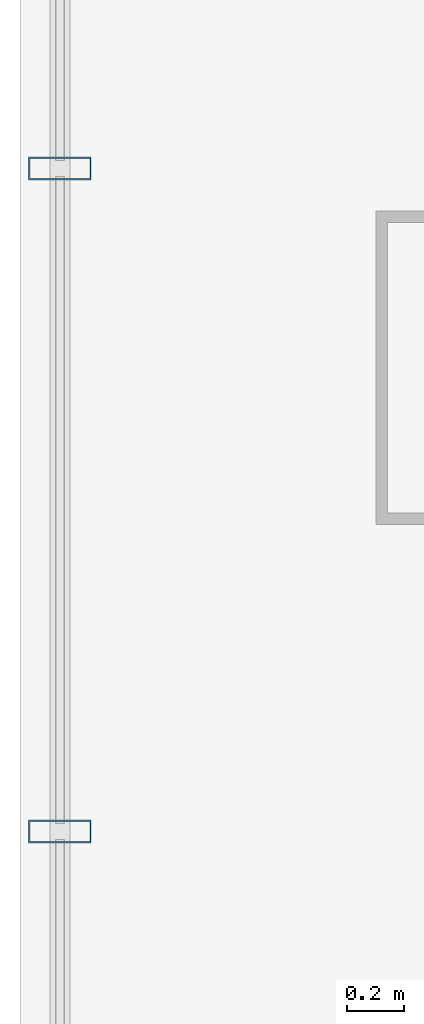
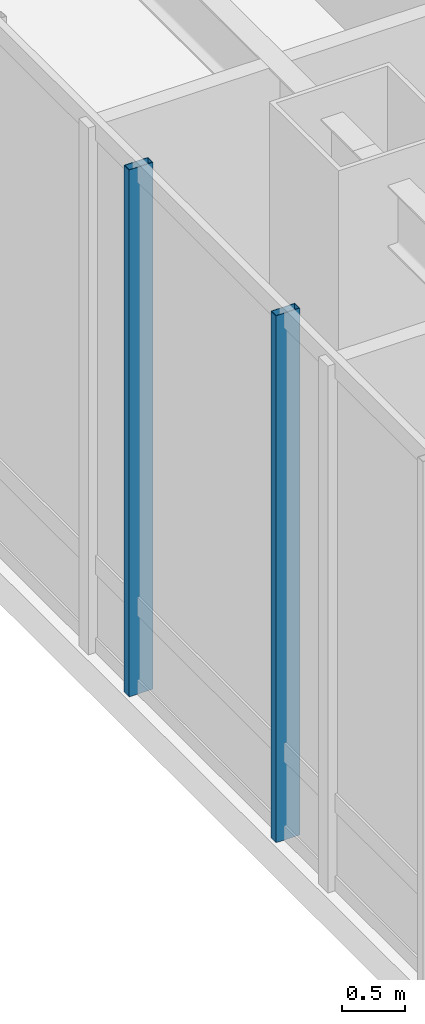
# One storey, part 10 of 35: 2 members, 1 element without a shape of its own.
"""IFC4 building model written with IfcOpenShell, lengths in metres."""

from ifc_helpers import new_model, si_unit, direction, frame, origin, origin_2d, place, context, subcontext, project, spatial, hollow_rectangle, extrude, material, layer, layer_set, material_profile, profile_set, type_object, element, aggregate, save


model = new_model("IFC4")

# Units and contexts
model_context = context("Model", 3, precision=1e-05, world=origin(), true_north=direction((0.0, 1.0)))
body_context = subcontext(model_context, "Body", "Model", "MODEL_VIEW")
ifc_project = project(units=[si_unit("LENGTHUNIT", "METRE"), si_unit("AREAUNIT", "SQUARE_METRE"), si_unit("VOLUMEUNIT", "CUBIC_METRE"), si_unit("PLANEANGLEUNIT", "RADIAN"), si_unit("MASSUNIT", "GRAM", prefix="KILO")], contexts=[model_context])

# Site, building, storey
site_placement = place(None, origin())
site = spatial("IfcSite", under=ifc_project, at=site_placement, CompositionType="ELEMENT")
building_placement = place(site_placement, origin())
building = spatial("IfcBuilding", under=site, at=building_placement, Name="Hatsunagi Terrace Concourse", CompositionType="ELEMENT")
storey_placement = place(building_placement, frame((0.0, 0.0, 10.800048828125)))
storey = spatial("IfcBuildingStorey", under=building, at=storey_placement, Name="L03", CompositionType="ELEMENT", Elevation=10.800048828125)

# Curtain wall, members
ifc_material_1 = material(Name="Anodised Aluminium Alloy 6063-T5", Category="aluminium")
ifc_layer = layer(ifc_material_1, 0.199951171875)
ifc_layer_set = layer_set([ifc_layer], Name="PodiumStorefront_CW01")
curtain_wall_type = type_object("IfcCurtainWallType", Name="PodiumStorefront_CW01", PredefinedType="NOTDEFINED", material=ifc_layer_set)
curtain_wall_placement = place(storey_placement, origin())
curtain_wall = element("IfcCurtainWall", 1, at=curtain_wall_placement, inside=storey, type_object=curtain_wall_type, Name="Unitised Curtain Wall CW-01 CW-L03-10", PredefinedType="NOTDEFINED")
ifc_material_2 = material(Name="Anodised Aluminium Alloy 6063-T5", Category="aluminium")
ifc_material_profile = material_profile(ifc_material_2, hollow_rectangle(XDim=0.080078125, YDim=0.219970703125, WallThickness=0.0048828125, at=origin_2d()), Name="ALU-MUL-220x80x5")
ifc_profile_set = profile_set([ifc_material_profile], Name="Anodised Aluminium Alloy 6063-T5")
member_type = type_object("IfcMemberType", Name="CurtainWallMullion_Heavy_220x80", PredefinedType="MULLION", material=ifc_profile_set)
member_1_placement = place(storey_placement, frame((0.139892578125, 35.172119140625, 0.0), z_axis=(0.0, 0.0, 1.0), x_axis=(0.0, 1.0, 0.0)))
member_1 = element("IfcMember", 2, at=member_1_placement, type_object=member_type, Name="Curtain Wall Mullion MUL-01", PredefinedType="MULLION", context=body_context, shape_type="SweptSolid", body=[
    extrude(hollow_rectangle(XDim=0.080078125, YDim=0.219970703125, WallThickness=0.0048828125, at=origin_2d()), origin(), (0.0, 0.0, 1.0), 5.099853515625),
])
member_2_placement = place(storey_placement, frame((0.139892578125, 37.5, 0.0), z_axis=(0.0, 0.0, 1.0), x_axis=(0.0, 1.0, 0.0)))
member_2 = element("IfcMember", 3, at=member_2_placement, type_object=member_type, Name="Curtain Wall Mullion MUL-01", PredefinedType="MULLION", context=body_context, shape_type="SweptSolid", body=[
    extrude(hollow_rectangle(XDim=0.080078125, YDim=0.219970703125, WallThickness=0.0048828125, at=origin_2d()), origin(), (0.0, 0.0, 1.0), 5.099853515625),
])
aggregate(curtain_wall, [member_1, member_2])

save(model, "model.ifc")
